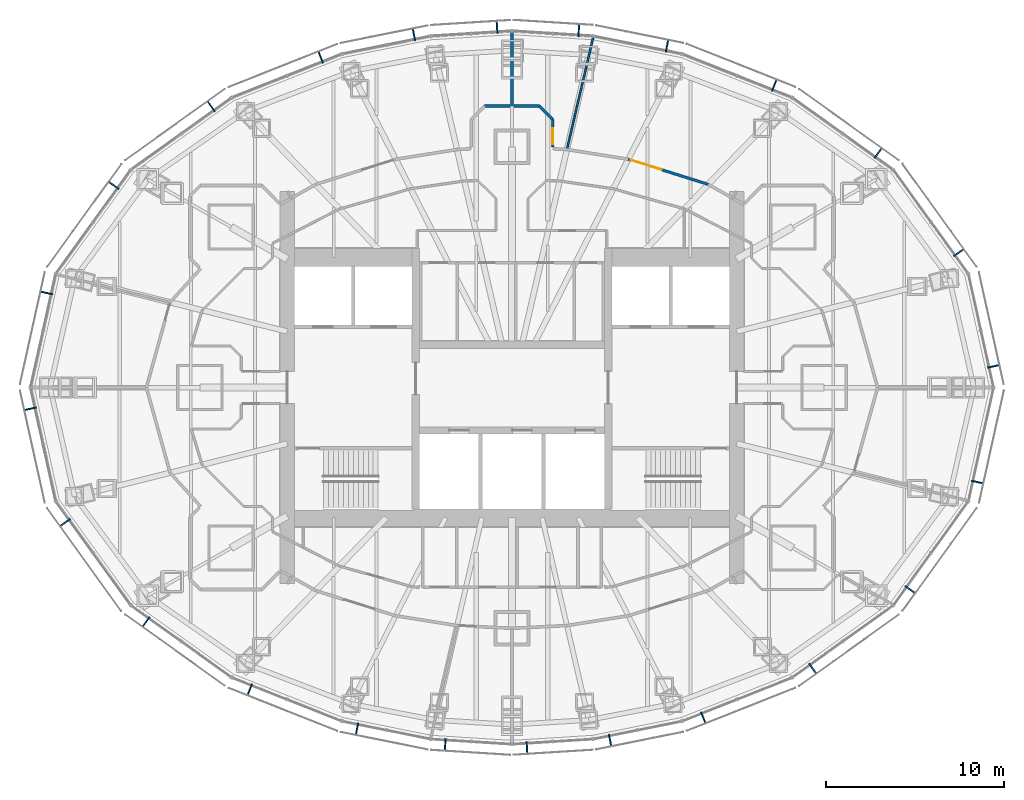
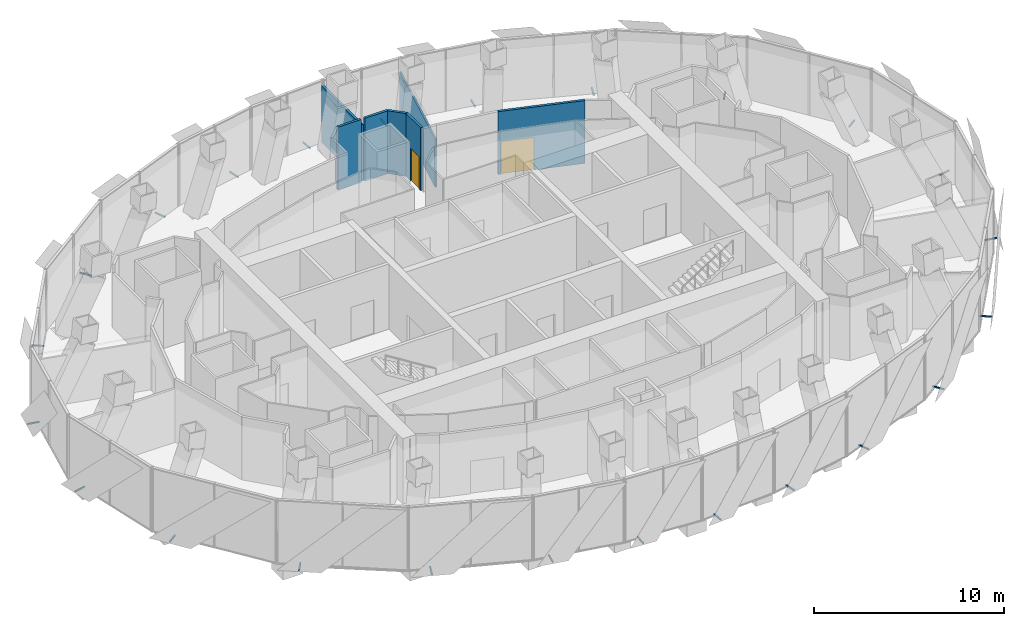
# One storey, part 15 of 18: 24 discrete accessories, 7 walls, 2 doors, 2 openings.
"""IFC4 building model written with IfcOpenShell, lengths in metres."""

from ifc_helpers import new_model, si_unit, direction, frame, frame_2d, origin, origin_2d, place, context, subcontext, project, spatial, rectangle, extrude, material, layer, layer_set, type_object, element, fill, save


model = new_model("IFC4")

# Units and contexts
model_context = context("Model", 3, precision=1e-05, world=origin(), true_north=direction((0.0, 1.0)))
body_context = subcontext(model_context, "Body", "Model", "MODEL_VIEW")
ifc_project = project(units=[si_unit("LENGTHUNIT", "METRE"), si_unit("AREAUNIT", "SQUARE_METRE"), si_unit("VOLUMEUNIT", "CUBIC_METRE"), si_unit("PLANEANGLEUNIT", "RADIAN"), si_unit("MASSUNIT", "GRAM", prefix="KILO")], contexts=[model_context])

# Site, building, storey
site_placement = place(None, origin())
site = spatial("IfcSite", under=ifc_project, at=site_placement, CompositionType="ELEMENT")
building_placement = place(site_placement, origin())
building = spatial("IfcBuilding", under=site, at=building_placement, Name="Lantaw Convention Tower", CompositionType="ELEMENT")
storey_placement = place(building_placement, frame((0.0, 0.0, 266.199951171875)))
storey = spatial("IfcBuildingStorey", under=building, at=storey_placement, Name="L62", CompositionType="ELEMENT", Elevation=266.199951171875)

# Wall, opening, door
ifc_material_1 = material(Name="Gypsum board on steel studs, fire rated", Category="steel")
ifc_layer_1 = layer(ifc_material_1, 0.14990234375)
ifc_layer_set_1 = layer_set([ifc_layer_1], Name="Corridor wall 150 EI 60")
wall_type_1 = type_object("IfcWallType", Name="Corridor wall 150 EI 60", PredefinedType="PARTITIONING", material=ifc_layer_set_1)
wall_1_placement = place(storey_placement, frame((11.000732421875, 11.3916015625, 0.0), z_axis=(0.0, 0.0, 1.0), x_axis=(-0.954031103669, 0.299707612903, 0.0)))
wall_1 = element("IfcWall", 1, at=wall_1_placement, inside=storey, type_object=wall_type_1, Name="Corridor wall 150", PredefinedType="PARTITIONING", context=body_context, shape_type="SweptSolid", body=[
    extrude(rectangle(XDim=4.6953125, YDim=0.14990234375, at=frame_2d((2.34765625, 0.0))), origin(), (0.0, 0.0, 1.0), 4.050048828125),
])
opening_1_placement = place(wall_1_placement, frame((2.745361328125, 0.0, 0.0)))
opening_1 = element("IfcOpeningElement", 2, at=opening_1_placement, cuts=wall_1, Name="Opening L62.28", PredefinedType="OPENING", context=body_context, shape_type="SweptSolid", body=[
    extrude(rectangle(XDim=1.800048828125, YDim=2.10009765625, at=frame_2d((0.89990234375, 1.050048828125))), frame((0.0, 0.0849609375, 0.0), z_axis=(0.0, -1.0, 0.0), x_axis=(1.0, 0.0, 0.0)), (0.0, 0.0, 1.0), 0.169921875),
])
ifc_material_2 = material(Name="Steel, fire rated", Category="steel")
door_type_1 = type_object("IfcDoorType", Name="Office double door 1800 FD30", OperationType="DOUBLE_DOOR_DOUBLE_SWING", PredefinedType="DOOR", material=ifc_material_2)
door_1_placement = place(opening_1_placement, origin())
door_1 = element("IfcDoor", 3, at=door_1_placement, inside=storey, type_object=door_type_1, Name="Tenant suite door", OperationType="DOUBLE_DOOR_DOUBLE_SWING", OverallHeight=2.10009765625, OverallWidth=1.800048828125, PredefinedType="DOOR", context=body_context, shape_type="SweptSolid", body=[
    extrude(rectangle(XDim=1.800048828125, YDim=2.10009765625, at=frame_2d((0.89990234375, 1.050048828125))), frame((0.0, 0.02490234375, 0.0), z_axis=(0.0, -1.0, 0.0), x_axis=(1.0, 0.0, 0.0)), (0.0, 0.0, 1.0), 0.050048828125),
])
fill(opening_1, door_1)

# Walls
wall_2_placement = place(storey_placement, frame((0.103271484375, 15.784912109375, 0.0), z_axis=(0.0, 0.0, 1.0), x_axis=(1.0, 0.0, 0.0)))
element("IfcWall", 4, at=wall_2_placement, inside=storey, type_object=wall_type_1, Name="Corridor wall 150", PredefinedType="PARTITIONING", context=body_context, shape_type="SweptSolid", body=[
    extrude(rectangle(XDim=1.428955078125, YDim=0.14990234375, at=frame_2d((0.71435546875, 0.0))), origin(), (0.0, 0.0, 1.0), 4.050048828125),
])
wall_3_placement = place(storey_placement, frame((1.5322265625, 15.784912109375, 0.0), z_axis=(0.0, 0.0, 1.0), x_axis=(0.707106781187, -0.707106781187, 0.0)))
element("IfcWall", 5, at=wall_3_placement, inside=storey, type_object=wall_type_1, Name="Corridor wall 150", PredefinedType="PARTITIONING", context=body_context, shape_type="SweptSolid", body=[
    extrude(rectangle(XDim=1.064453125, YDim=0.14990234375, at=frame_2d((0.5322265625, 0.0))), origin(), (0.0, 0.0, 1.0), 4.050048828125),
])

# Wall, opening, door
wall_4_placement = place(storey_placement, frame((2.284912109375, 15.0322265625, 0.0), z_axis=(0.0, 0.0, 1.0), x_axis=(0.0, -1.0, 0.0)))
wall_4 = element("IfcWall", 6, at=wall_4_placement, inside=storey, type_object=wall_type_1, Name="Corridor wall 150", PredefinedType="PARTITIONING", context=body_context, shape_type="SweptSolid", body=[
    extrude(rectangle(XDim=1.544921875, YDim=0.14990234375, at=frame_2d((0.7724609375, 0.0))), origin(), (0.0, 0.0, 1.0), 4.050048828125),
])
opening_2_placement = place(wall_4_placement, frame((0.5, 0.0, 0.0)))
opening_2 = element("IfcOpeningElement", 7, at=opening_2_placement, cuts=wall_4, Name="Opening L62.29", PredefinedType="OPENING", context=body_context, shape_type="SweptSolid", body=[
    extrude(rectangle(XDim=0.89990234375, YDim=2.10009765625, at=frame_2d((0.449951171875, 1.050048828125))), frame((0.0, 0.0849609375, 0.0), z_axis=(0.0, -1.0, 0.0), x_axis=(1.0, 0.0, 0.0)), (0.0, 0.0, 1.0), 0.169921875),
])
door_type_2 = type_object("IfcDoorType", Name="Office door 900 FD30", OperationType="SINGLE_SWING_LEFT", PredefinedType="DOOR", material=ifc_material_2)
door_2_placement = place(opening_2_placement, origin())
door_2 = element("IfcDoor", 8, at=door_2_placement, inside=storey, type_object=door_type_2, Name="Meeting room door", OperationType="SINGLE_SWING_LEFT", OverallHeight=2.10009765625, OverallWidth=0.89990234375, PredefinedType="DOOR", context=body_context, shape_type="SweptSolid", body=[
    extrude(rectangle(XDim=0.89990234375, YDim=2.10009765625, at=frame_2d((0.449951171875, 1.050048828125))), frame((0.0, 0.02490234375, 0.0), z_axis=(0.0, -1.0, 0.0), x_axis=(1.0, 0.0, 0.0)), (0.0, 0.0, 1.0), 0.050048828125),
])
fill(opening_2, door_2)

# Walls
wall_5_placement = place(storey_placement, frame((-1.5322265625, 15.784912109375, 0.0), z_axis=(0.0, 0.0, 1.0), x_axis=(1.0, 0.0, 0.0)))
element("IfcWall", 9, at=wall_5_placement, inside=storey, type_object=wall_type_1, Name="Corridor wall 150", PredefinedType="PARTITIONING", context=body_context, shape_type="SweptSolid", body=[
    extrude(rectangle(XDim=1.428955078125, YDim=0.14990234375, at=frame_2d((0.71435546875, 0.0))), origin(), (0.0, 0.0, 1.0), 4.050048828125),
])
ifc_material_3 = material(Name="Gypsum board on steel studs, acoustic", Category="steel")
ifc_layer_2 = layer(ifc_material_3, 0.10009765625)
ifc_layer_set_2 = layer_set([ifc_layer_2], Name="Office partition 100")
wall_type_2 = type_object("IfcWallType", Name="Office partition 100", PredefinedType="PARTITIONING", material=ifc_layer_set_2)
wall_6_placement = place(storey_placement, frame((4.5556640625, 19.65673828125, 0.0), z_axis=(0.0, 0.0, 1.0), x_axis=(-0.227524978141, -0.973772244584, 0.0)))
element("IfcWall", 10, at=wall_6_placement, inside=storey, type_object=wall_type_2, Name="Office partition 100", PredefinedType="PARTITIONING", context=body_context, shape_type="SweptSolid", body=[
    extrude(rectangle(XDim=6.47998046875, YDim=0.10009765625, at=frame_2d((3.239990234375, 0.0))), origin(), (0.0, 0.0, 1.0), 3.107666015625),
])
ifc_layer_3 = layer(ifc_material_1, 0.14990234375)
ifc_layer_set_3 = layer_set([ifc_layer_3], Name="Tenant separation wall 150 EI 60")
wall_type_3 = type_object("IfcWallType", Name="Tenant separation wall 150 EI 60", PredefinedType="PARTITIONING", material=ifc_layer_set_3)
wall_7_placement = place(storey_placement, frame((0.0, 19.94482421875, 0.0), z_axis=(0.0, 0.0, 1.0), x_axis=(0.0, -1.0, 0.0)))
element("IfcWall", 11, at=wall_7_placement, inside=storey, type_object=wall_type_3, Name="Tenant separation wall 150", PredefinedType="PARTITIONING", context=body_context, shape_type="SweptSolid", body=[
    extrude(rectangle(XDim=4.14990234375, YDim=0.14990234375, at=frame_2d((2.074951171875, 0.0))), origin(), (0.0, 0.0, 1.0), 3.646240234375),
])

# Discrete accessories
for number, where, z_axis, x_axis, name in (
    (12, (27.002197265625, 1.189453125, -0.114990234375), (0.0, 0.0, 1.0), (-0.215891333626, 0.976417396437, 0.0), "Screen bracket"),
    (13, (25.05419921875, 7.564453125, -0.114990234375), (0.0, 0.0, 1.0), (-0.585157643865, 0.810919559405, 0.0), "Screen bracket"),
    (14, (20.524169921875, 13.14453125, -0.114990234375), (0.0, 0.0, 1.0), (-0.813672540482, 0.581323487281, 0.0), "Screen bracket"),
    (15, (14.707763671875, 16.94140625, -0.114990234375), (0.0, 0.0, 1.0), (-0.929761533743, 0.368162315252, 0.0), "Screen bracket"),
    (16, (8.68896484375, 19.145751953125, -0.114990234375), (0.0, 0.0, 1.0), (-0.980366679695, 0.197183095987, 0.0), "Screen bracket"),
    (17, (3.743896484375, 20.024169921875, -0.114990234375), (0.0, 0.0, 1.0), (-0.998028774865, 0.062757983884, 0.0), "Screen bracket"),
    (18, (-0.83984375, 20.206787109375, -0.114990234375), (0.0, 0.0, 1.0), (-0.998028774865, -0.062757983884, 0.0), "Screen bracket"),
    (19, (-5.49853515625, 19.78759765625, -0.114990234375), (0.0, 0.0, 1.0), (-0.980366679695, -0.197183095987, 0.0), "Screen bracket"),
    (20, (-10.7255859375, 18.518310546875, -0.114990234375), (0.0, 0.0, 1.0), (-0.929761533743, -0.368162315252, 0.0), "Screen bracket"),
    (21, (-16.863525390625, 15.759765625, -0.114990234375), (0.0, 0.0, 1.0), (-0.813672540482, -0.581323487281, 0.0), "Screen bracket"),
    (22, (-22.333251953125, 11.3349609375, -0.114990234375), (0.0, 0.0, 1.0), (-0.585157643865, -0.810919559405, 0.0), "Screen bracket"),
    (23, (-26.0927734375, 5.302490234375, -0.114990234375), (0.0, 0.0, 1.0), (-0.215891333626, -0.976417396437, 0.0), "Screen bracket"),
    (24, (-27.002197265625, -1.189453125, -0.114990234375), (0.0, 0.0, 1.0), (0.215891333626, -0.976417396437, 0.0), "Screen bracket"),
    (25, (-25.05419921875, -7.564453125, -0.114990234375), (0.0, 0.0, 1.0), (0.585157643865, -0.810919559405, 0.0), "Screen bracket"),
    (26, (-20.524169921875, -13.14453125, -0.114990234375), (0.0, 0.0, 1.0), (0.813672540482, -0.581323487281, 0.0), "Screen bracket"),
    (27, (-14.707763671875, -16.94140625, -0.114990234375), (0.0, 0.0, 1.0), (0.929761533743, -0.368162315252, 0.0), "Screen bracket"),
    (28, (-8.68896484375, -19.145751953125, -0.114990234375), (0.0, 0.0, 1.0), (0.980366679695, -0.197183095987, 0.0), "Screen bracket"),
    (29, (-3.743896484375, -20.024169921875, -0.114990234375), (0.0, 0.0, 1.0), (0.998028774865, -0.062757983884, 0.0), "Screen bracket"),
    (30, (0.83984375, -20.206787109375, -0.114990234375), (0.0, 0.0, 1.0), (0.998028774865, 0.062757983884, 0.0), "Screen bracket"),
    (31, (5.49853515625, -19.78759765625, -0.114990234375), (0.0, 0.0, 1.0), (0.980366679695, 0.197183095987, 0.0), "Screen bracket"),
    (32, (10.7255859375, -18.518310546875, -0.114990234375), (0.0, 0.0, 1.0), (0.929761533743, 0.368162315252, 0.0), "Screen bracket"),
    (33, (16.863525390625, -15.759765625, -0.114990234375), (0.0, 0.0, 1.0), (0.813672540482, 0.581323487281, 0.0), "Screen bracket"),
    (34, (22.333251953125, -11.3349609375, -0.114990234375), (0.0, 0.0, 1.0), (0.585157643865, 0.810919559405, 0.0), "Screen bracket"),
    (35, (26.0927734375, -5.302490234375, -0.114990234375), (0.0, 0.0, 1.0), (0.215891333626, 0.976417396437, 0.0), "Screen bracket"),
):
    element("IfcDiscreteAccessory", number, at=place(storey_placement, frame(where, z_axis=z_axis, x_axis=x_axis)), inside=storey, Name=name, PredefinedType="BRACKET", context=body_context, shape_type="SweptSolid", body=[
        extrude(rectangle(XDim=0.080078125, YDim=0.68798828125, at=origin_2d()), origin(), (0.0, 0.0, 1.0), 0.080078125),
    ])

save(model, "model.ifc")
